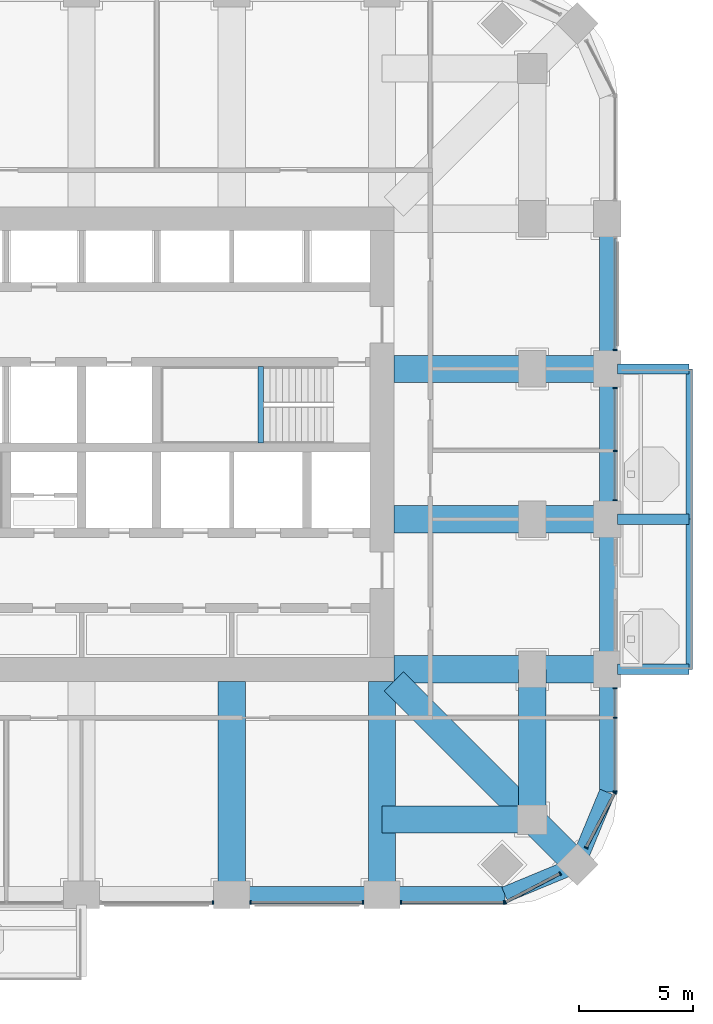
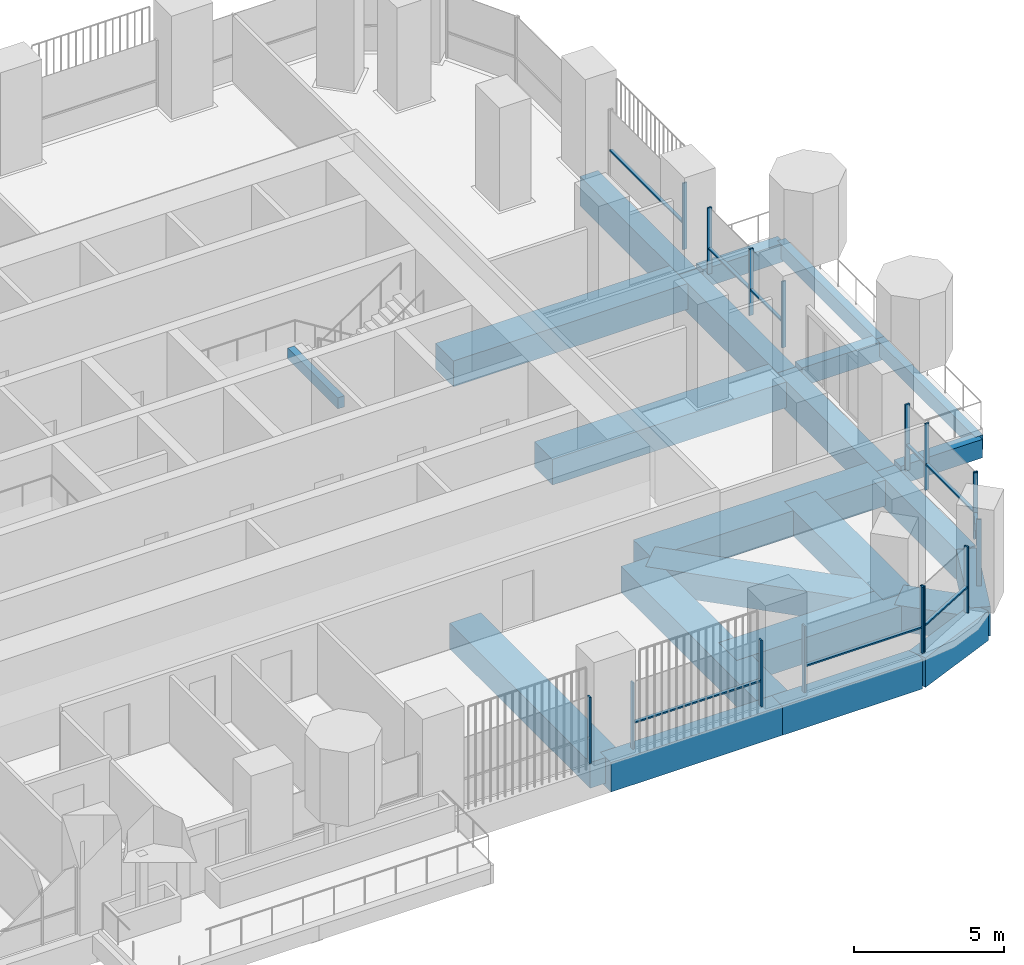
# One storey, part 5 of 19: 25 members, 23 beams, 8 elements without a shape of their own.
"""IFC4 building model written with IfcOpenShell, lengths in metres."""

from ifc_helpers import new_model, si_unit, direction, frame, origin, origin_2d, place, context, subcontext, project, spatial, rectangle, extrude, material, material_profile, profile_set, type_object, element, aggregate, save


model = new_model("IFC4")

# Units and contexts
model_context = context("Model", 3, precision=1e-05, world=origin(), true_north=direction((0.0, 1.0)))
body_context = subcontext(model_context, "Body", "Model", "MODEL_VIEW")
ifc_project = project(units=[si_unit("LENGTHUNIT", "METRE"), si_unit("AREAUNIT", "SQUARE_METRE"), si_unit("VOLUMEUNIT", "CUBIC_METRE"), si_unit("PLANEANGLEUNIT", "RADIAN"), si_unit("MASSUNIT", "GRAM", prefix="KILO")], contexts=[model_context])

# Site, building, storey
site_placement = place(None, origin())
site = spatial("IfcSite", under=ifc_project, at=site_placement, CompositionType="ELEMENT")
building_placement = place(site_placement, origin())
building = spatial("IfcBuilding", under=site, at=building_placement, Name="Cobogo Forest Laboratory Tower", CompositionType="ELEMENT")
storey_placement = place(building_placement, frame((0.0, 0.0, 159.89990234375)))
storey = spatial("IfcBuildingStorey", under=building, at=storey_placement, Name="L36", CompositionType="ELEMENT", Elevation=159.89990234375)

# Beams
ifc_material_1 = material(Name="Concrete HA-40 (C40/50)", Category="concrete")
ifc_material_profile_1 = material_profile(ifc_material_1, rectangle(XDim=0.449951171875, YDim=0.75, at=origin_2d()), Name="RC 450x750")
ifc_profile_set_1 = profile_set([ifc_material_profile_1], Name="Concrete HA-40 (C40/50)")
beam_type_1 = type_object("IfcBeamType", Name="Balcony cantilever beam 450x750", PredefinedType="BEAM", material=ifc_profile_set_1)
for number, where, z_axis, x_axis, name in (
    (1, (49.949951171875, 13.199951171875, -0.625), (1.0, 0.0, 0.0), (0.0, 1.0, 0.0), "CB1 BAL-E1-C1 L36"),
    (2, (49.949951171875, 19.800048828125, -0.625), (1.0, 0.0, 0.0), (0.0, 1.0, 0.0), "CB1 BAL-E1-C2 L36"),
    (3, (49.949951171875, 26.39990234375, -0.625), (1.0, 0.0, 0.0), (0.0, 1.0, 0.0), "CB1 BAL-E1-C3 L36"),
):
    element("IfcBeam", number, at=place(storey_placement, frame(where, z_axis=z_axis, x_axis=x_axis)), inside=storey, type_object=beam_type_1, Name=name, PredefinedType="BEAM", context=body_context, shape_type="SweptSolid", body=[
        extrude(rectangle(XDim=0.449951171875, YDim=0.75, at=origin_2d()), origin(), (0.0, 0.0, 1.0), 3.150146484375),
    ])
ifc_material_profile_2 = material_profile(ifc_material_1, rectangle(XDim=0.300048828125, YDim=0.60009765625, at=origin_2d()), Name="RC 300x600")
ifc_profile_set_2 = profile_set([ifc_material_profile_2], Name="Concrete HA-40 (C40/50)")
beam_type_2 = type_object("IfcBeamType", Name="Balcony edge beam 300x600", PredefinedType="BEAM", material=ifc_profile_set_2)
beam_1_placement = place(storey_placement, frame((53.10009765625, 13.199951171875, -0.5498046875), z_axis=(0.0, 1.0, 0.0), x_axis=(-1.0, 0.0, 0.0)))
element("IfcBeam", 4, at=beam_1_placement, inside=storey, type_object=beam_type_2, Name="BB1 BAL-E1-T1 L36", PredefinedType="BEAM", context=body_context, shape_type="SweptSolid", body=[
    extrude(rectangle(XDim=0.300048828125, YDim=0.60009765625, at=origin_2d()), origin(), (0.0, 0.0, 1.0), 6.60009765625),
])
beam_2_placement = place(storey_placement, frame((53.10009765625, 19.800048828125, -0.5498046875), z_axis=(0.0, 1.0, 0.0), x_axis=(-1.0, 0.0, 0.0)))
element("IfcBeam", 5, at=beam_2_placement, inside=storey, type_object=beam_type_2, Name="BB1 BAL-E1-T2 L36", PredefinedType="BEAM", context=body_context, shape_type="SweptSolid", body=[
    extrude(rectangle(XDim=0.300048828125, YDim=0.60009765625, at=origin_2d()), origin(), (0.0, 0.0, 1.0), 6.599853515625),
])
ifc_material_profile_3 = material_profile(ifc_material_1, rectangle(XDim=0.25, YDim=0.449951171875, at=origin_2d()), Name="RC 250x450")
ifc_profile_set_3 = profile_set([ifc_material_profile_3], Name="Concrete HA-40 (C40/50)")
beam_type_3 = type_object("IfcBeamType", Name="LB1 landing beam 250x450", PredefinedType="BEAM", material=ifc_profile_set_3)
beam_3_placement = place(storey_placement, frame((34.27001953125, 23.14990234375, 1.675048828125), z_axis=(0.0, 1.0, 0.0), x_axis=(-1.0, 0.0, 0.0)))
element("IfcBeam", 6, at=beam_3_placement, inside=storey, type_object=beam_type_3, Name="Landing beam ST2 L36", PredefinedType="BEAM", context=body_context, shape_type="SweptSolid", body=[
    extrude(rectangle(XDim=0.25, YDim=0.449951171875, at=origin_2d()), origin(), (0.0, 0.0, 1.0), 3.35009765625),
])
ifc_material_profile_4 = material_profile(ifc_material_1, rectangle(XDim=1.199951171875, YDim=1.050048828125, at=origin_2d()), Name="RC 1200x1050")
ifc_profile_set_4 = profile_set([ifc_material_profile_4], Name="Concrete HA-40 (C40/50)")
beam_type_4 = type_object("IfcBeamType", Name="Laboratory floor wide beam 1200x1050", PredefinedType="BEAM", material=ifc_profile_set_4)
for number, where, z_axis, x_axis, name in (
    (7, (33.0, 12.675048828125, -0.824951171875), (0.0, -1.0, 0.0), (1.0, 0.0, 0.0), "RB1 R-6-S L36"),
    (8, (39.60009765625, 12.675048828125, -0.824951171875), (0.0, -1.0, 0.0), (1.0, 0.0, 0.0), "RB1 R-7-S L36"),
    (9, (40.125, 13.199951171875, -0.824951171875), (1.0, 0.0, 0.0), (0.0, 1.0, 0.0), "RB1 R-C-E L36"),
    (10, (40.125, 19.800048828125, -0.824951171875), (1.0, 0.0, 0.0), (0.0, 1.0, 0.0), "RB1 R-D-E L36"),
    (11, (40.125, 26.39990234375, -0.824951171875), (1.0, 0.0, 0.0), (0.0, 1.0, 0.0), "RB1 R-E-E L36"),
):
    element("IfcBeam", number, at=place(storey_placement, frame(where, z_axis=z_axis, x_axis=x_axis)), inside=storey, type_object=beam_type_4, Name=name, PredefinedType="BEAM", context=body_context, shape_type="SweptSolid", body=[
        extrude(rectangle(XDim=1.199951171875, YDim=1.050048828125, at=origin_2d()), origin(), (0.0, 0.0, 1.0), 9.375),
    ])
for number, where, z_axis, x_axis, name in (
    (12, (46.199951171875, 6.60009765625, -0.824951171875), (0.0, 1.0, 0.0), (-1.0, 0.0, 0.0), "RB1 G-SE-XC L36"),
    (13, (46.199951171875, 6.60009765625, -0.824951171875), (-1.0, 0.0, 0.0), (0.0, -1.0, 0.0), "RB1 G-SE-YC L36"),
):
    element("IfcBeam", number, at=place(storey_placement, frame(where, z_axis=z_axis, x_axis=x_axis)), inside=storey, type_object=beam_type_4, Name=name, PredefinedType="BEAM", context=body_context, shape_type="SweptSolid", body=[
        extrude(rectangle(XDim=1.199951171875, YDim=1.050048828125, at=origin_2d()), origin(), (0.0, 0.0, 1.0), 6.599853515625),
    ])
beam_4_placement = place(storey_placement, frame((48.181884765625, 4.617919921875, -0.824951171875), z_axis=(-0.707063230743, 0.707150328948, 0.0), x_axis=(-0.707150328948, -0.707063230743, 0.0)))
element("IfcBeam", 14, at=beam_4_placement, inside=storey, type_object=beam_type_4, Name="RB1 G-SE-D1 L36", PredefinedType="BEAM", context=body_context, shape_type="SweptSolid", body=[
    extrude(rectangle(XDim=1.199951171875, YDim=1.050048828125, at=origin_2d()), origin(), (0.0, 0.0, 1.0), 2.802978515625),
])
beam_5_placement = place(storey_placement, frame((46.199951171875, 6.60009765625, -0.824951171875), z_axis=(-0.707106781187, 0.707106781187, 0.0), x_axis=(-0.707106781187, -0.707106781187, 0.0)))
element("IfcBeam", 15, at=beam_5_placement, inside=storey, type_object=beam_type_4, Name="RB1 G-SE-D2 L36", PredefinedType="BEAM", context=body_context, shape_type="SweptSolid", body=[
    extrude(rectangle(XDim=1.199951171875, YDim=1.050048828125, at=origin_2d()), origin(), (0.0, 0.0, 1.0), 8.59130859375),
])

# Curtain wall, member
ifc_material_2 = material(Name="Aluminium curtain wall", Category="aluminium")
curtain_wall_type = type_object("IfcCurtainWallType", Name="CW-2 unitised curtain wall, solar control glazing, laboratory floors zones C and D", PredefinedType="USERDEFINED", material=ifc_material_2)
curtain_wall_1_placement = place(storey_placement, origin())
curtain_wall_1 = element("IfcCurtainWall", 16, at=curtain_wall_1_placement, inside=storey, type_object=curtain_wall_type, Name="Curtain wall 04 L36", ObjectType="UNITISED CURTAIN WALL", PredefinedType="USERDEFINED")
ifc_material_3 = material(Name="Aluminium mullion", Category="aluminium")
ifc_material_profile_5 = material_profile(ifc_material_3, rectangle(XDim=0.06005859375, YDim=0.159912109375, at=origin_2d()), Name="AL 60x160")
ifc_profile_set_5 = profile_set([ifc_material_profile_5], Name="Aluminium mullion")
member_type_1 = type_object("IfcMemberType", Name="MU-1 aluminium mullion 60x160", PredefinedType="MULLION", material=ifc_profile_set_5)
member_1_placement = place(storey_placement, frame((32.169921875, 2.949951171875, 0.0), z_axis=(0.0, 0.0, 1.0), x_axis=(1.0, 0.0, 0.0)))
member_1 = element("IfcMember", 17, at=member_1_placement, type_object=member_type_1, Name="CW-2 mullion 2", PredefinedType="MULLION", context=body_context, shape_type="SweptSolid", body=[
    extrude(rectangle(XDim=0.06005859375, YDim=0.159912109375, at=origin_2d()), origin(), (0.0, 0.0, 1.0), 2.7001953125),
])
aggregate(curtain_wall_1, [member_1])

# Curtain wall, members
curtain_wall_2_placement = place(storey_placement, origin())
curtain_wall_2 = element("IfcCurtainWall", 18, at=curtain_wall_2_placement, inside=storey, type_object=curtain_wall_type, Name="Curtain wall 05 L36", ObjectType="UNITISED CURTAIN WALL", PredefinedType="USERDEFINED")
member_2_placement = place(storey_placement, frame((33.830078125, 2.949951171875, 0.0), z_axis=(0.0, 0.0, 1.0), x_axis=(1.0, 0.0, 0.0)))
member_2 = element("IfcMember", 19, at=member_2_placement, type_object=member_type_1, Name="CW-2 mullion 1", PredefinedType="MULLION", context=body_context, shape_type="SweptSolid", body=[
    extrude(rectangle(XDim=0.06005859375, YDim=0.159912109375, at=origin_2d()), origin(), (0.0, 0.0, 1.0), 2.7001953125),
])
member_3_placement = place(storey_placement, frame((38.77001953125, 2.949951171875, 0.0), z_axis=(0.0, 0.0, 1.0), x_axis=(1.0, 0.0, 0.0)))
member_3 = element("IfcMember", 20, at=member_3_placement, type_object=member_type_1, Name="CW-2 mullion 2", PredefinedType="MULLION", context=body_context, shape_type="SweptSolid", body=[
    extrude(rectangle(XDim=0.06005859375, YDim=0.159912109375, at=origin_2d()), origin(), (0.0, 0.0, 1.0), 2.7001953125),
])

curtain_wall_3_placement = place(storey_placement, origin())
curtain_wall_3 = element("IfcCurtainWall", 21, at=curtain_wall_3_placement, inside=storey, type_object=curtain_wall_type, Name="Curtain wall 06 L36", ObjectType="UNITISED CURTAIN WALL", PredefinedType="USERDEFINED")
member_4_placement = place(storey_placement, frame((40.429931640625, 2.949951171875, 0.0), z_axis=(0.0, 0.0, 1.0), x_axis=(1.0, 0.0, 0.0)))
member_4 = element("IfcMember", 22, at=member_4_placement, type_object=member_type_1, Name="CW-2 mullion 1", PredefinedType="MULLION", context=body_context, shape_type="SweptSolid", body=[
    extrude(rectangle(XDim=0.06005859375, YDim=0.159912109375, at=origin_2d()), origin(), (0.0, 0.0, 1.0), 2.7001953125),
])
member_5_placement = place(storey_placement, frame((44.969970703125, 2.949951171875, 0.0), z_axis=(0.0, 0.0, 1.0), x_axis=(1.0, 0.0, 0.0)))
member_5 = element("IfcMember", 23, at=member_5_placement, type_object=member_type_1, Name="CW-2 mullion 2", PredefinedType="MULLION", context=body_context, shape_type="SweptSolid", body=[
    extrude(rectangle(XDim=0.06005859375, YDim=0.159912109375, at=origin_2d()), origin(), (0.0, 0.0, 1.0), 2.7001953125),
])

curtain_wall_4_placement = place(storey_placement, origin())
curtain_wall_4 = element("IfcCurtainWall", 24, at=curtain_wall_4_placement, inside=storey, type_object=curtain_wall_type, Name="Curtain wall 07 L36", ObjectType="UNITISED CURTAIN WALL", PredefinedType="USERDEFINED")
member_6_placement = place(storey_placement, frame((45.026611328125, 2.9638671875, 0.0), z_axis=(0.0, 0.0, 1.0), x_axis=(0.885686547075, 0.464283685186, 0.0)))
member_6 = element("IfcMember", 25, at=member_6_placement, type_object=member_type_1, Name="CW-2 mullion 1", PredefinedType="MULLION", context=body_context, shape_type="SweptSolid", body=[
    extrude(rectangle(XDim=0.06005859375, YDim=0.159912109375, at=origin_2d()), origin(), (0.0, 0.0, 1.0), 2.7001953125),
])
member_7_placement = place(storey_placement, frame((47.431640625, 4.224609375, 0.0), z_axis=(0.0, 0.0, 1.0), x_axis=(0.885686547075, 0.464283685186, 0.0)))
member_7 = element("IfcMember", 26, at=member_7_placement, type_object=member_type_1, Name="CW-2 mullion 2", PredefinedType="MULLION", context=body_context, shape_type="SweptSolid", body=[
    extrude(rectangle(XDim=0.06005859375, YDim=0.159912109375, at=origin_2d()), origin(), (0.0, 0.0, 1.0), 2.7001953125),
])

curtain_wall_5_placement = place(storey_placement, origin())
curtain_wall_5 = element("IfcCurtainWall", 27, at=curtain_wall_5_placement, inside=storey, type_object=curtain_wall_type, Name="Curtain wall 08 L36", ObjectType="UNITISED CURTAIN WALL", PredefinedType="USERDEFINED")
member_8_placement = place(storey_placement, frame((48.5751953125, 5.368408203125, 0.0), z_axis=(0.0, 0.0, 1.0), x_axis=(0.464283685186, 0.885686547075, 0.0)))
member_8 = element("IfcMember", 28, at=member_8_placement, type_object=member_type_1, Name="CW-2 mullion 1", PredefinedType="MULLION", context=body_context, shape_type="SweptSolid", body=[
    extrude(rectangle(XDim=0.06005859375, YDim=0.159912109375, at=origin_2d()), origin(), (0.0, 0.0, 1.0), 2.7001953125),
])
member_9_placement = place(storey_placement, frame((49.836181640625, 7.7734375, 0.0), z_axis=(0.0, 0.0, 1.0), x_axis=(0.464283685186, 0.885686547075, 0.0)))
member_9 = element("IfcMember", 29, at=member_9_placement, type_object=member_type_1, Name="CW-2 mullion 2", PredefinedType="MULLION", context=body_context, shape_type="SweptSolid", body=[
    extrude(rectangle(XDim=0.06005859375, YDim=0.159912109375, at=origin_2d()), origin(), (0.0, 0.0, 1.0), 2.7001953125),
])

curtain_wall_6_placement = place(storey_placement, origin())
curtain_wall_6 = element("IfcCurtainWall", 30, at=curtain_wall_6_placement, inside=storey, type_object=curtain_wall_type, Name="Curtain wall 09 L36", ObjectType="UNITISED CURTAIN WALL", PredefinedType="USERDEFINED")
member_10_placement = place(storey_placement, frame((49.85009765625, 7.830078125, 0.0), z_axis=(0.0, 0.0, 1.0), x_axis=(0.0, 1.0, 0.0)))
member_10 = element("IfcMember", 31, at=member_10_placement, type_object=member_type_1, Name="CW-2 mullion 1", PredefinedType="MULLION", context=body_context, shape_type="SweptSolid", body=[
    extrude(rectangle(XDim=0.06005859375, YDim=0.159912109375, at=origin_2d()), origin(), (0.0, 0.0, 1.0), 2.7001953125),
])
member_11_placement = place(storey_placement, frame((49.85009765625, 11.074951171875, 0.0), z_axis=(0.0, 0.0, 1.0), x_axis=(0.0, 1.0, 0.0)))
member_11 = element("IfcMember", 32, at=member_11_placement, type_object=member_type_1, Name="CW-2 mullion 2", PredefinedType="MULLION", context=body_context, shape_type="SweptSolid", body=[
    extrude(rectangle(XDim=0.06005859375, YDim=0.159912109375, at=origin_2d()), origin(), (0.0, 0.0, 1.0), 2.7001953125),
])
member_12_placement = place(storey_placement, frame((49.85009765625, 12.3701171875, 0.0), z_axis=(0.0, 0.0, 1.0), x_axis=(0.0, 1.0, 0.0)))
member_12 = element("IfcMember", 33, at=member_12_placement, type_object=member_type_1, Name="CW-2 mullion 3", PredefinedType="MULLION", context=body_context, shape_type="SweptSolid", body=[
    extrude(rectangle(XDim=0.06005859375, YDim=0.159912109375, at=origin_2d()), origin(), (0.0, 0.0, 1.0), 2.7001953125),
])

curtain_wall_7_placement = place(storey_placement, origin())
curtain_wall_7 = element("IfcCurtainWall", 34, at=curtain_wall_7_placement, inside=storey, type_object=curtain_wall_type, Name="Curtain wall 11 L36", ObjectType="UNITISED CURTAIN WALL", PredefinedType="USERDEFINED")
member_13_placement = place(storey_placement, frame((49.85009765625, 20.6298828125, 0.0), z_axis=(0.0, 0.0, 1.0), x_axis=(0.0, 1.0, 0.0)))
member_13 = element("IfcMember", 35, at=member_13_placement, type_object=member_type_1, Name="CW-2 mullion 1", PredefinedType="MULLION", context=body_context, shape_type="SweptSolid", body=[
    extrude(rectangle(XDim=0.06005859375, YDim=0.159912109375, at=origin_2d()), origin(), (0.0, 0.0, 1.0), 2.7001953125),
])
member_14_placement = place(storey_placement, frame((49.85009765625, 22.800048828125, 0.0), z_axis=(0.0, 0.0, 1.0), x_axis=(0.0, 1.0, 0.0)))
member_14 = element("IfcMember", 36, at=member_14_placement, type_object=member_type_1, Name="CW-2 mullion 2", PredefinedType="MULLION", context=body_context, shape_type="SweptSolid", body=[
    extrude(rectangle(XDim=0.06005859375, YDim=0.159912109375, at=origin_2d()), origin(), (0.0, 0.0, 1.0), 2.7001953125),
])
member_15_placement = place(storey_placement, frame((49.85009765625, 25.570068359375, 0.0), z_axis=(0.0, 0.0, 1.0), x_axis=(0.0, 1.0, 0.0)))
member_15 = element("IfcMember", 37, at=member_15_placement, type_object=member_type_1, Name="CW-2 mullion 3", PredefinedType="MULLION", context=body_context, shape_type="SweptSolid", body=[
    extrude(rectangle(XDim=0.06005859375, YDim=0.159912109375, at=origin_2d()), origin(), (0.0, 0.0, 1.0), 2.7001953125),
])

# Curtain wall, member
curtain_wall_8_placement = place(storey_placement, origin())
curtain_wall_8 = element("IfcCurtainWall", 38, at=curtain_wall_8_placement, inside=storey, type_object=curtain_wall_type, Name="Curtain wall 12 L36", ObjectType="UNITISED CURTAIN WALL", PredefinedType="USERDEFINED")
member_16_placement = place(storey_placement, frame((49.85009765625, 27.22998046875, 0.0), z_axis=(0.0, 0.0, 1.0), x_axis=(0.0, 1.0, 0.0)))
member_16 = element("IfcMember", 39, at=member_16_placement, type_object=member_type_1, Name="CW-2 mullion 1", PredefinedType="MULLION", context=body_context, shape_type="SweptSolid", body=[
    extrude(rectangle(XDim=0.06005859375, YDim=0.159912109375, at=origin_2d()), origin(), (0.0, 0.0, 1.0), 2.7001953125),
])

# Beams
ifc_material_profile_6 = material_profile(ifc_material_1, rectangle(XDim=0.699951171875, YDim=1.199951171875, at=origin_2d()), Name="RC 700x1200")
ifc_profile_set_6 = profile_set([ifc_material_profile_6], Name="Concrete HA-40 (C40/50)")
beam_type_5 = type_object("IfcBeamType", Name="Perimeter edge beam 700x1200", PredefinedType="BEAM", material=ifc_profile_set_6)
for number, where, z_axis, x_axis, name in (
    (40, (33.0, 3.300048828125, -0.89990234375), (1.0, 0.0, 0.0), (0.0, 1.0, 0.0), "EB1 E-S4 L36"),
    (41, (49.5, 13.199951171875, -0.89990234375), (0.0, 1.0, 0.0), (-1.0, 0.0, 0.0), "EB1 E-E1 L36"),
):
    element("IfcBeam", number, at=place(storey_placement, frame(where, z_axis=z_axis, x_axis=x_axis)), inside=storey, type_object=beam_type_5, Name=name, PredefinedType="BEAM", context=body_context, shape_type="SweptSolid", body=[
        extrude(rectangle(XDim=0.699951171875, YDim=1.199951171875, at=origin_2d()), origin(), (0.0, 0.0, 1.0), 6.60009765625),
    ])
beam_6_placement = place(storey_placement, frame((49.5, 19.800048828125, -0.89990234375), z_axis=(0.0, 1.0, 0.0), x_axis=(-1.0, 0.0, 0.0)))
element("IfcBeam", 42, at=beam_6_placement, inside=storey, type_object=beam_type_5, Name="EB1 E-E2 L36", PredefinedType="BEAM", context=body_context, shape_type="SweptSolid", body=[
    extrude(rectangle(XDim=0.699951171875, YDim=1.199951171875, at=origin_2d()), origin(), (0.0, 0.0, 1.0), 6.599853515625),
])
beam_7_placement = place(storey_placement, frame((49.5, 26.39990234375, -0.89990234375), z_axis=(0.0, 1.0, 0.0), x_axis=(-1.0, 0.0, 0.0)))
element("IfcBeam", 43, at=beam_7_placement, inside=storey, type_object=beam_type_5, Name="EB1 E-E3 L36", PredefinedType="BEAM", context=body_context, shape_type="SweptSolid", body=[
    extrude(rectangle(XDim=0.699951171875, YDim=1.199951171875, at=origin_2d()), origin(), (0.0, 0.0, 1.0), 6.60009765625),
])
beam_8_placement = place(storey_placement, frame((39.60009765625, 3.300048828125, -0.89990234375), z_axis=(1.0, 0.0, 0.0), x_axis=(0.0, 1.0, 0.0)))
element("IfcBeam", 44, at=beam_8_placement, inside=storey, type_object=beam_type_5, Name="EB1 E-SES1 L36", PredefinedType="BEAM", context=body_context, shape_type="SweptSolid", body=[
    extrude(rectangle(XDim=0.699951171875, YDim=1.199951171875, at=origin_2d()), origin(), (0.0, 0.0, 1.0), 5.39990234375),
])
beam_9_placement = place(storey_placement, frame((45.0, 3.300048828125, -0.89990234375), z_axis=(0.923890694089, 0.382656484822, 0.0), x_axis=(-0.382656484822, 0.923890694089, 0.0)))
element("IfcBeam", 45, at=beam_9_placement, inside=storey, type_object=beam_type_5, Name="EB1 E-SES2 L36", PredefinedType="BEAM", context=body_context, shape_type="SweptSolid", body=[
    extrude(rectangle(XDim=0.699951171875, YDim=1.199951171875, at=origin_2d()), origin(), (0.0, 0.0, 1.0), 3.444091796875),
])
beam_10_placement = place(storey_placement, frame((49.5, 13.199951171875, -0.89990234375), z_axis=(0.0, -1.0, 0.0), x_axis=(1.0, 0.0, 0.0)))
element("IfcBeam", 46, at=beam_10_placement, inside=storey, type_object=beam_type_5, Name="EB1 E-SEE1 L36", PredefinedType="BEAM", context=body_context, shape_type="SweptSolid", body=[
    extrude(rectangle(XDim=0.699951171875, YDim=1.199951171875, at=origin_2d()), origin(), (0.0, 0.0, 1.0), 5.39990234375),
])
beam_11_placement = place(storey_placement, frame((49.5, 7.800048828125, -0.89990234375), z_axis=(-0.382691928466, -0.923876013265, 0.0), x_axis=(0.923876013265, -0.382691928466, 0.0)))
element("IfcBeam", 47, at=beam_11_placement, inside=storey, type_object=beam_type_5, Name="EB1 E-SEE2 L36", PredefinedType="BEAM", context=body_context, shape_type="SweptSolid", body=[
    extrude(rectangle(XDim=0.699951171875, YDim=1.199951171875, at=origin_2d()), origin(), (0.0, 0.0, 1.0), 3.4443359375),
])

# Member
ifc_material_4 = material(Name="Aluminium transom", Category="aluminium")
ifc_material_profile_7 = material_profile(ifc_material_4, rectangle(XDim=0.1201171875, YDim=0.06005859375, at=origin_2d()), Name="AL 60x120")
ifc_profile_set_7 = profile_set([ifc_material_profile_7], Name="Aluminium transom")
member_type_2 = type_object("IfcMemberType", Name="TR-1 aluminium transom 60x120", PredefinedType="USERDEFINED", material=ifc_profile_set_7)
member_17_placement = place(storey_placement, frame((33.860107421875, 2.949951171875, 1.050048828125), z_axis=(1.0, 0.0, 0.0), x_axis=(0.0, 1.0, 0.0)))
member_17 = element("IfcMember", 48, at=member_17_placement, type_object=member_type_2, Name="CW-2 transom 1.1", ObjectType="TRANSOM", PredefinedType="USERDEFINED", context=body_context, shape_type="SweptSolid", body=[
    extrude(rectangle(XDim=0.1201171875, YDim=0.06005859375, at=origin_2d()), origin(), (0.0, 0.0, 1.0), 4.8798828125),
])

aggregate(curtain_wall_2, [member_2, member_3, member_17])

member_18_placement = place(storey_placement, frame((40.4599609375, 2.949951171875, 1.050048828125), z_axis=(1.0, 0.0, 0.0), x_axis=(0.0, 1.0, 0.0)))
member_18 = element("IfcMember", 49, at=member_18_placement, type_object=member_type_2, Name="CW-2 transom 1.1", ObjectType="TRANSOM", PredefinedType="USERDEFINED", context=body_context, shape_type="SweptSolid", body=[
    extrude(rectangle(XDim=0.1201171875, YDim=0.06005859375, at=origin_2d()), origin(), (0.0, 0.0, 1.0), 4.47998046875),
])

aggregate(curtain_wall_3, [member_4, member_5, member_18])

member_19_placement = place(storey_placement, frame((45.05322265625, 2.977783203125, 1.050048828125), z_axis=(0.885674922116, 0.464305860758, 0.0), x_axis=(-0.464305860758, 0.885674922116, 0.0)))
member_19 = element("IfcMember", 50, at=member_19_placement, type_object=member_type_2, Name="CW-2 transom 1.1", ObjectType="TRANSOM", PredefinedType="USERDEFINED", context=body_context, shape_type="SweptSolid", body=[
    extrude(rectangle(XDim=0.1201171875, YDim=0.06005859375, at=origin_2d()), origin(), (0.0, 0.0, 1.0), 2.6552734375),
])

aggregate(curtain_wall_4, [member_6, member_7, member_19])

member_20_placement = place(storey_placement, frame((48.589111328125, 5.394775390625, 1.050048828125), z_axis=(0.464268054753, 0.885694740493, 0.0), x_axis=(-0.885694740493, 0.464268054753, 0.0)))
member_20 = element("IfcMember", 51, at=member_20_placement, type_object=member_type_2, Name="CW-2 transom 1.1", ObjectType="TRANSOM", PredefinedType="USERDEFINED", context=body_context, shape_type="SweptSolid", body=[
    extrude(rectangle(XDim=0.1201171875, YDim=0.06005859375, at=origin_2d()), origin(), (0.0, 0.0, 1.0), 2.655517578125),
])

aggregate(curtain_wall_5, [member_8, member_9, member_20])

member_21_placement = place(storey_placement, frame((49.85009765625, 7.860107421875, 1.050048828125), z_axis=(0.0, 1.0, 0.0), x_axis=(-1.0, 0.0, 0.0)))
member_21 = element("IfcMember", 52, at=member_21_placement, type_object=member_type_2, Name="CW-2 transom 1.1", ObjectType="TRANSOM", PredefinedType="USERDEFINED", context=body_context, shape_type="SweptSolid", body=[
    extrude(rectangle(XDim=0.1201171875, YDim=0.06005859375, at=origin_2d()), origin(), (0.0, 0.0, 1.0), 3.184814453125),
])

member_22_placement = place(storey_placement, frame((49.85009765625, 11.10498046875, 1.050048828125), z_axis=(0.0, 1.0, 0.0), x_axis=(-1.0, 0.0, 0.0)))
member_22 = element("IfcMember", 53, at=member_22_placement, type_object=member_type_2, Name="CW-2 transom 2.1", ObjectType="TRANSOM", PredefinedType="USERDEFINED", context=body_context, shape_type="SweptSolid", body=[
    extrude(rectangle(XDim=0.1201171875, YDim=0.06005859375, at=origin_2d()), origin(), (0.0, 0.0, 1.0), 1.235107421875),
])

aggregate(curtain_wall_6, [member_10, member_11, member_12, member_21, member_22])

member_23_placement = place(storey_placement, frame((49.85009765625, 20.659912109375, 1.050048828125), z_axis=(0.0, 1.0, 0.0), x_axis=(-1.0, 0.0, 0.0)))
member_23 = element("IfcMember", 54, at=member_23_placement, type_object=member_type_2, Name="CW-2 transom 1.1", ObjectType="TRANSOM", PredefinedType="USERDEFINED", context=body_context, shape_type="SweptSolid", body=[
    extrude(rectangle(XDim=0.1201171875, YDim=0.06005859375, at=origin_2d()), origin(), (0.0, 0.0, 1.0), 2.110107421875),
])

member_24_placement = place(storey_placement, frame((49.85009765625, 22.830078125, 1.050048828125), z_axis=(0.0, 1.0, 0.0), x_axis=(-1.0, 0.0, 0.0)))
member_24 = element("IfcMember", 55, at=member_24_placement, type_object=member_type_2, Name="CW-2 transom 2.1", ObjectType="TRANSOM", PredefinedType="USERDEFINED", context=body_context, shape_type="SweptSolid", body=[
    extrude(rectangle(XDim=0.1201171875, YDim=0.06005859375, at=origin_2d()), origin(), (0.0, 0.0, 1.0), 2.7099609375),
])

aggregate(curtain_wall_7, [member_13, member_14, member_15, member_23, member_24])

member_25_placement = place(storey_placement, frame((49.85009765625, 27.260009765625, 1.050048828125), z_axis=(0.0, 1.0, 0.0), x_axis=(-1.0, 0.0, 0.0)))
member_25 = element("IfcMember", 56, at=member_25_placement, type_object=member_type_2, Name="CW-2 transom 1.1", ObjectType="TRANSOM", PredefinedType="USERDEFINED", context=body_context, shape_type="SweptSolid", body=[
    extrude(rectangle(XDim=0.1201171875, YDim=0.06005859375, at=origin_2d()), origin(), (0.0, 0.0, 1.0), 4.8798828125),
])

aggregate(curtain_wall_8, [member_16, member_25])

save(model, "model.ifc")
